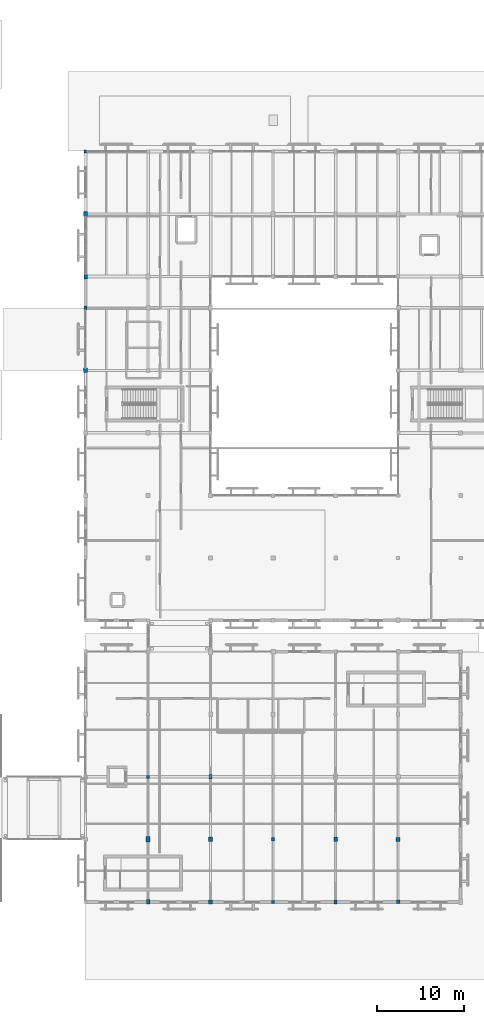
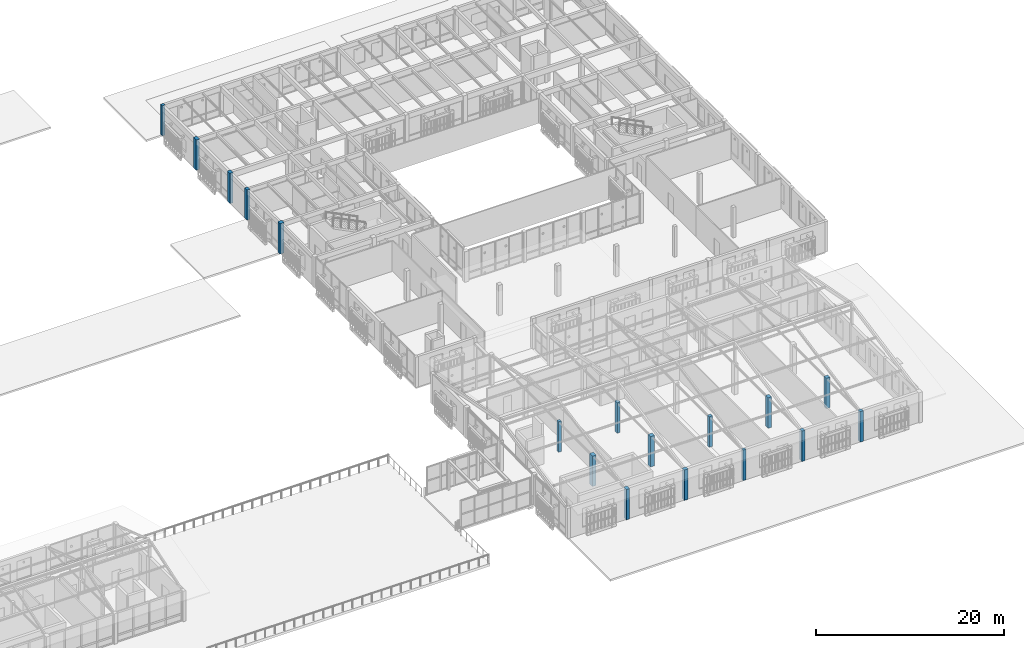
# One storey, part 8 of 112: 17 columns.
"""IFC4 building model written with IfcOpenShell, lengths in metres."""

from ifc_helpers import new_model, si_unit, direction, frame, origin, origin_2d, place, context, subcontext, project, spatial, rectangle, extrude, material, material_profile, profile_set, type_object, element, save


model = new_model("IFC4")

# Units and contexts
model_context = context("Model", 3, precision=1e-05, world=origin(), true_north=direction((0.0, 1.0)))
body_context = subcontext(model_context, "Body", "Model", "MODEL_VIEW")
ifc_project = project(units=[si_unit("LENGTHUNIT", "METRE"), si_unit("AREAUNIT", "SQUARE_METRE"), si_unit("VOLUMEUNIT", "CUBIC_METRE"), si_unit("PLANEANGLEUNIT", "RADIAN"), si_unit("MASSUNIT", "GRAM", prefix="KILO")], contexts=[model_context])

# Site, building, storey
site_placement = place(None, origin())
site = spatial("IfcSite", under=ifc_project, at=site_placement, CompositionType="ELEMENT")
building_placement = place(site_placement, origin())
building = spatial("IfcBuilding", under=site, at=building_placement, Name="Mazaris Harbour Polytechnic", CompositionType="ELEMENT")
storey_placement = place(building_placement, frame((0.0, 0.0, 13.800048828125)))
storey = spatial("IfcBuildingStorey", under=building, at=storey_placement, Name="L03", CompositionType="ELEMENT", Elevation=13.800048828125)

# Columns
ifc_material_1 = material(Name="Glulam GL28h", Category="wood")
ifc_material_profile_1 = material_profile(ifc_material_1, rectangle(XDim=0.340087890625, YDim=0.340087890625, at=origin_2d()), Name="RECT340x340")
ifc_profile_set_1 = profile_set([ifc_material_profile_1], Name="Glulam GL28h")
column_type_1 = type_object("IfcColumnType", Name="Glulam Column 340x340", PredefinedType="COLUMN", material=ifc_profile_set_1)
column_1_placement = place(storey_placement, frame((129.60009765625, 28.800048828125, 0.0), z_axis=(0.0, 0.0, 1.0), x_axis=(1.0, 0.0, 0.0)))
element("IfcColumn", 1, at=column_1_placement, inside=storey, type_object=column_type_1, Name="V2 L03 Column 360", PredefinedType="COLUMN", context=body_context, shape_type="SweptSolid", body=[
    extrude(rectangle(XDim=0.340087890625, YDim=0.340087890625, at=origin_2d()), origin(), (0.0, 0.0, 1.0), 3.9599609375),
])
ifc_material_2 = material(Name="Glulam GL28h", Category="wood")
ifc_material_profile_2 = material_profile(ifc_material_2, rectangle(XDim=0.340087890625, YDim=0.340087890625, at=origin_2d()), Name="RECT340x340")
ifc_profile_set_2 = profile_set([ifc_material_profile_2], Name="Glulam GL28h")
column_type_2 = type_object("IfcColumnType", Name="Glulam Column 340x340 Exterior", PredefinedType="COLUMN", material=ifc_profile_set_2)
column_2_placement = place(storey_placement, frame((144.0, 14.39990234375, 0.0), z_axis=(0.0, 0.0, 1.0), x_axis=(1.0, 0.0, 0.0)))
element("IfcColumn", 2, at=column_2_placement, inside=storey, type_object=column_type_2, Name="V2 L03 Column 368", PredefinedType="COLUMN", context=body_context, shape_type="SweptSolid", body=[
    extrude(rectangle(XDim=0.340087890625, YDim=0.340087890625, at=origin_2d()), origin(), (0.0, 0.0, 1.0), 3.9599609375),
])
column_3_placement = place(storey_placement, frame((122.39990234375, 100.800048828125, 0.0), z_axis=(0.0, 0.0, 1.0), x_axis=(1.0, 0.0, 0.0)))
element("IfcColumn", 3, at=column_3_placement, inside=storey, type_object=column_type_2, Name="V5 L03 Column 1408", PredefinedType="COLUMN", context=body_context, shape_type="SweptSolid", body=[
    extrude(rectangle(XDim=0.340087890625, YDim=0.340087890625, at=origin_2d()), origin(), (0.0, 0.0, 1.0), 3.93505859375),
])
ifc_material_3 = material(Name="Glulam GL28h", Category="wood")
ifc_material_profile_3 = material_profile(ifc_material_3, rectangle(XDim=0.360107421875, YDim=0.47998046875, at=origin_2d()), Name="RECT360x480")
ifc_profile_set_3 = profile_set([ifc_material_profile_3], Name="Glulam GL28h")
column_type_3 = type_object("IfcColumnType", Name="Glulam Column 360x480", PredefinedType="COLUMN", material=ifc_profile_set_3)
column_4_placement = place(storey_placement, frame((136.800048828125, 28.800048828125, 0.0), z_axis=(0.0, 0.0, 1.0), x_axis=(1.0, 0.0, 0.0)))
element("IfcColumn", 4, at=column_4_placement, inside=storey, type_object=column_type_3, Name="V2 L03 Column 365", PredefinedType="COLUMN", context=body_context, shape_type="SweptSolid", body=[
    extrude(rectangle(XDim=0.360107421875, YDim=0.47998046875, at=origin_2d()), origin(), (0.0, 0.0, 1.0), 3.9599609375),
])
ifc_material_4 = material(Name="Glulam GL28h", Category="wood")
ifc_material_profile_4 = material_profile(ifc_material_4, rectangle(XDim=0.360107421875, YDim=0.47998046875, at=origin_2d()), Name="RECT360x480")
ifc_profile_set_4 = profile_set([ifc_material_profile_4], Name="Glulam GL28h")
column_type_4 = type_object("IfcColumnType", Name="Glulam Column 360x480 Exterior", PredefinedType="COLUMN", material=ifc_profile_set_4)
column_5_placement = place(storey_placement, frame((151.199951171875, 14.39990234375, 0.0), z_axis=(0.0, 0.0, 1.0), x_axis=(1.0, 0.0, 0.0)))
element("IfcColumn", 5, at=column_5_placement, inside=storey, type_object=column_type_4, Name="V2 L03 Column 373", PredefinedType="COLUMN", context=body_context, shape_type="SweptSolid", body=[
    extrude(rectangle(XDim=0.360107421875, YDim=0.47998046875, at=origin_2d()), origin(), (0.0, 0.0, 1.0), 3.9599609375),
])
column_6_placement = place(storey_placement, frame((122.39990234375, 82.800048828125, 0.0), z_axis=(0.0, 0.0, 1.0), x_axis=(1.0, 0.0, 0.0)))
element("IfcColumn", 6, at=column_6_placement, inside=storey, type_object=column_type_4, Name="V5 L03 Column 1405", PredefinedType="COLUMN", context=body_context, shape_type="SweptSolid", body=[
    extrude(rectangle(XDim=0.360107421875, YDim=0.47998046875, at=origin_2d()), origin(), (0.0, 0.0, 1.0), 3.93505859375),
])
ifc_material_5 = material(Name="Glulam GL28h", Category="wood")
ifc_material_profile_5 = material_profile(ifc_material_5, rectangle(XDim=0.3798828125, YDim=0.3798828125, at=origin_2d()), Name="RECT380x380")
ifc_profile_set_5 = profile_set([ifc_material_profile_5], Name="Glulam GL28h")
column_type_5 = type_object("IfcColumnType", Name="Glulam Column 380x380", PredefinedType="COLUMN", material=ifc_profile_set_5)
column_7_placement = place(storey_placement, frame((144.0, 21.60009765625, 0.0), z_axis=(0.0, 0.0, 1.0), x_axis=(1.0, 0.0, 0.0)))
element("IfcColumn", 7, at=column_7_placement, inside=storey, type_object=column_type_5, Name="V2 L03 Column 369", PredefinedType="COLUMN", context=body_context, shape_type="SweptSolid", body=[
    extrude(rectangle(XDim=0.3798828125, YDim=0.3798828125, at=origin_2d()), origin(), (0.0, 0.0, 1.0), 3.9599609375),
])
ifc_material_6 = material(Name="Glulam GL28h", Category="wood")
ifc_material_profile_6 = material_profile(ifc_material_6, rectangle(XDim=0.39990234375, YDim=0.5400390625, at=origin_2d()), Name="RECT400x540")
ifc_profile_set_6 = profile_set([ifc_material_profile_6], Name="Glulam GL28h")
column_type_6 = type_object("IfcColumnType", Name="Glulam Column 400x540", PredefinedType="COLUMN", material=ifc_profile_set_6)
column_8_placement = place(storey_placement, frame((151.199951171875, 21.60009765625, 0.0), z_axis=(0.0, 0.0, 1.0), x_axis=(1.0, 0.0, 0.0)))
element("IfcColumn", 8, at=column_8_placement, inside=storey, type_object=column_type_6, Name="V2 L03 Column 374", PredefinedType="COLUMN", context=body_context, shape_type="SweptSolid", body=[
    extrude(rectangle(XDim=0.39990234375, YDim=0.5400390625, at=origin_2d()), origin(), (0.0, 0.0, 1.0), 3.9599609375),
])
ifc_material_7 = material(Name="Glulam GL28h", Category="wood")
ifc_material_profile_7 = material_profile(ifc_material_7, rectangle(XDim=0.39990234375, YDim=0.5400390625, at=origin_2d()), Name="RECT400x540")
ifc_profile_set_7 = profile_set([ifc_material_profile_7], Name="Glulam GL28h")
column_type_7 = type_object("IfcColumnType", Name="Glulam Column 400x540 Exterior", PredefinedType="COLUMN", material=ifc_profile_set_7)
column_9_placement = place(storey_placement, frame((129.60009765625, 14.39990234375, 0.0), z_axis=(0.0, 0.0, 1.0), x_axis=(1.0, 0.0, 0.0)))
element("IfcColumn", 9, at=column_9_placement, inside=storey, type_object=column_type_7, Name="V2 L03 Column 358", PredefinedType="COLUMN", context=body_context, shape_type="SweptSolid", body=[
    extrude(rectangle(XDim=0.39990234375, YDim=0.5400390625, at=origin_2d()), origin(), (0.0, 0.0, 1.0), 3.9599609375),
])
column_10_placement = place(storey_placement, frame((122.39990234375, 86.39990234375, 0.0), z_axis=(0.0, 0.0, 1.0), x_axis=(1.0, 0.0, 0.0)))
element("IfcColumn", 10, at=column_10_placement, inside=storey, type_object=column_type_7, Name="V5 L03 Column 1406", PredefinedType="COLUMN", context=body_context, shape_type="SweptSolid", body=[
    extrude(rectangle(XDim=0.39990234375, YDim=0.5400390625, at=origin_2d()), origin(), (0.0, 0.0, 1.0), 3.93505859375),
])
ifc_material_8 = material(Name="Glulam GL28h", Category="wood")
ifc_material_profile_8 = material_profile(ifc_material_8, rectangle(XDim=0.419921875, YDim=0.419921875, at=origin_2d()), Name="RECT420x420")
ifc_profile_set_8 = profile_set([ifc_material_profile_8], Name="Glulam GL28h")
column_type_8 = type_object("IfcColumnType", Name="Glulam Column 420x420 Exterior", PredefinedType="COLUMN", material=ifc_profile_set_8)
column_11_placement = place(storey_placement, frame((158.39990234375, 14.39990234375, 0.0), z_axis=(0.0, 0.0, 1.0), x_axis=(1.0, 0.0, 0.0)))
element("IfcColumn", 11, at=column_11_placement, inside=storey, type_object=column_type_8, Name="V2 L03 Column 378", PredefinedType="COLUMN", context=body_context, shape_type="SweptSolid", body=[
    extrude(rectangle(XDim=0.419921875, YDim=0.419921875, at=origin_2d()), origin(), (0.0, 0.0, 1.0), 3.9599609375),
])
ifc_material_9 = material(Name="Glulam GL28h", Category="wood")
ifc_material_profile_9 = material_profile(ifc_material_9, rectangle(XDim=0.43994140625, YDim=0.60009765625, at=origin_2d()), Name="RECT440x600")
ifc_profile_set_9 = profile_set([ifc_material_profile_9], Name="Glulam GL28h")
column_type_9 = type_object("IfcColumnType", Name="Glulam Column 440x600", PredefinedType="COLUMN", material=ifc_profile_set_9)
column_12_placement = place(storey_placement, frame((129.60009765625, 21.60009765625, 0.0), z_axis=(0.0, 0.0, 1.0), x_axis=(1.0, 0.0, 0.0)))
element("IfcColumn", 12, at=column_12_placement, inside=storey, type_object=column_type_9, Name="V2 L03 Column 359", PredefinedType="COLUMN", context=body_context, shape_type="SweptSolid", body=[
    extrude(rectangle(XDim=0.43994140625, YDim=0.60009765625, at=origin_2d()), origin(), (0.0, 0.0, 1.0), 3.9599609375),
])
ifc_material_10 = material(Name="Glulam GL28h", Category="wood")
ifc_material_profile_10 = material_profile(ifc_material_10, rectangle(XDim=0.43994140625, YDim=0.60009765625, at=origin_2d()), Name="RECT440x600")
ifc_profile_set_10 = profile_set([ifc_material_profile_10], Name="Glulam GL28h")
column_type_10 = type_object("IfcColumnType", Name="Glulam Column 440x600 Exterior", PredefinedType="COLUMN", material=ifc_profile_set_10)
column_13_placement = place(storey_placement, frame((122.39990234375, 93.60009765625, 0.0), z_axis=(0.0, 0.0, 1.0), x_axis=(1.0, 0.0, 0.0)))
element("IfcColumn", 13, at=column_13_placement, inside=storey, type_object=column_type_10, Name="V5 L03 Column 1407", PredefinedType="COLUMN", context=body_context, shape_type="SweptSolid", body=[
    extrude(rectangle(XDim=0.43994140625, YDim=0.60009765625, at=origin_2d()), origin(), (0.0, 0.0, 1.0), 3.93505859375),
])
ifc_material_11 = material(Name="Glulam GL28h", Category="wood")
ifc_material_profile_11 = material_profile(ifc_material_11, rectangle(XDim=0.4599609375, YDim=0.4599609375, at=origin_2d()), Name="RECT460x460")
ifc_profile_set_11 = profile_set([ifc_material_profile_11], Name="Glulam GL28h")
column_type_11 = type_object("IfcColumnType", Name="Glulam Column 460x460", PredefinedType="COLUMN", material=ifc_profile_set_11)
column_14_placement = place(storey_placement, frame((158.39990234375, 21.60009765625, 0.0), z_axis=(0.0, 0.0, 1.0), x_axis=(1.0, 0.0, 0.0)))
element("IfcColumn", 14, at=column_14_placement, inside=storey, type_object=column_type_11, Name="V2 L03 Column 379", PredefinedType="COLUMN", context=body_context, shape_type="SweptSolid", body=[
    extrude(rectangle(XDim=0.4599609375, YDim=0.4599609375, at=origin_2d()), origin(), (0.0, 0.0, 1.0), 3.9599609375),
])
ifc_material_12 = material(Name="Glulam GL28h", Category="wood")
ifc_material_profile_12 = material_profile(ifc_material_12, rectangle(XDim=0.4599609375, YDim=0.4599609375, at=origin_2d()), Name="RECT460x460")
ifc_profile_set_12 = profile_set([ifc_material_profile_12], Name="Glulam GL28h")
column_type_12 = type_object("IfcColumnType", Name="Glulam Column 460x460 Exterior", PredefinedType="COLUMN", material=ifc_profile_set_12)
column_15_placement = place(storey_placement, frame((136.800048828125, 14.39990234375, 0.0), z_axis=(0.0, 0.0, 1.0), x_axis=(1.0, 0.0, 0.0)))
element("IfcColumn", 15, at=column_15_placement, inside=storey, type_object=column_type_12, Name="V2 L03 Column 363", PredefinedType="COLUMN", context=body_context, shape_type="SweptSolid", body=[
    extrude(rectangle(XDim=0.4599609375, YDim=0.4599609375, at=origin_2d()), origin(), (0.0, 0.0, 1.0), 3.9599609375),
])
ifc_material_13 = material(Name="Glulam GL28h", Category="wood")
ifc_material_profile_13 = material_profile(ifc_material_13, rectangle(XDim=0.5, YDim=0.5, at=origin_2d()), Name="RECT500x500")
ifc_profile_set_13 = profile_set([ifc_material_profile_13], Name="Glulam GL28h")
column_type_13 = type_object("IfcColumnType", Name="Glulam Column 500x500", PredefinedType="COLUMN", material=ifc_profile_set_13)
column_16_placement = place(storey_placement, frame((136.800048828125, 21.60009765625, 0.0), z_axis=(0.0, 0.0, 1.0), x_axis=(1.0, 0.0, 0.0)))
element("IfcColumn", 16, at=column_16_placement, inside=storey, type_object=column_type_13, Name="V2 L03 Column 364", PredefinedType="COLUMN", context=body_context, shape_type="SweptSolid", body=[
    extrude(rectangle(XDim=0.5, YDim=0.5, at=origin_2d()), origin(), (0.0, 0.0, 1.0), 3.9599609375),
])
ifc_material_14 = material(Name="Glulam GL28h", Category="wood")
ifc_material_profile_14 = material_profile(ifc_material_14, rectangle(XDim=0.5, YDim=0.5, at=origin_2d()), Name="RECT500x500")
ifc_profile_set_14 = profile_set([ifc_material_profile_14], Name="Glulam GL28h")
column_type_14 = type_object("IfcColumnType", Name="Glulam Column 500x500 Exterior", PredefinedType="COLUMN", material=ifc_profile_set_14)
column_17_placement = place(storey_placement, frame((122.39990234375, 75.60009765625, 0.0), z_axis=(0.0, 0.0, 1.0), x_axis=(1.0, 0.0, 0.0)))
element("IfcColumn", 17, at=column_17_placement, inside=storey, type_object=column_type_14, Name="V5 L03 Column 1404", PredefinedType="COLUMN", context=body_context, shape_type="SweptSolid", body=[
    extrude(rectangle(XDim=0.5, YDim=0.5, at=origin_2d()), origin(), (0.0, 0.0, 1.0), 3.93505859375),
])

save(model, "model.ifc")
